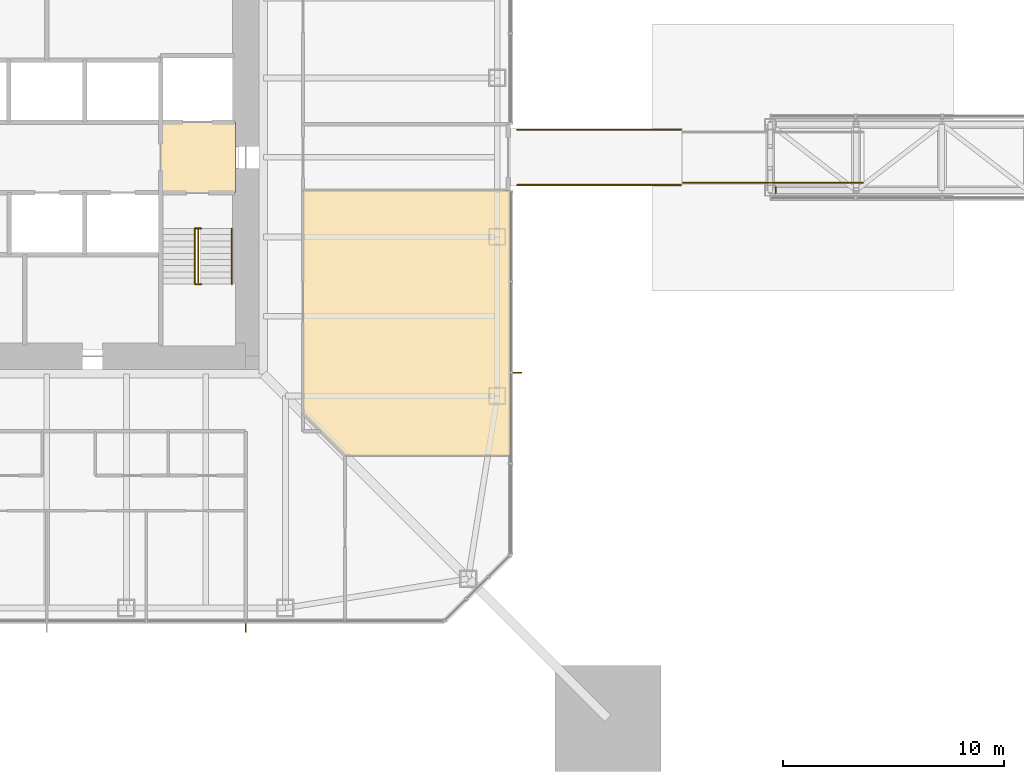
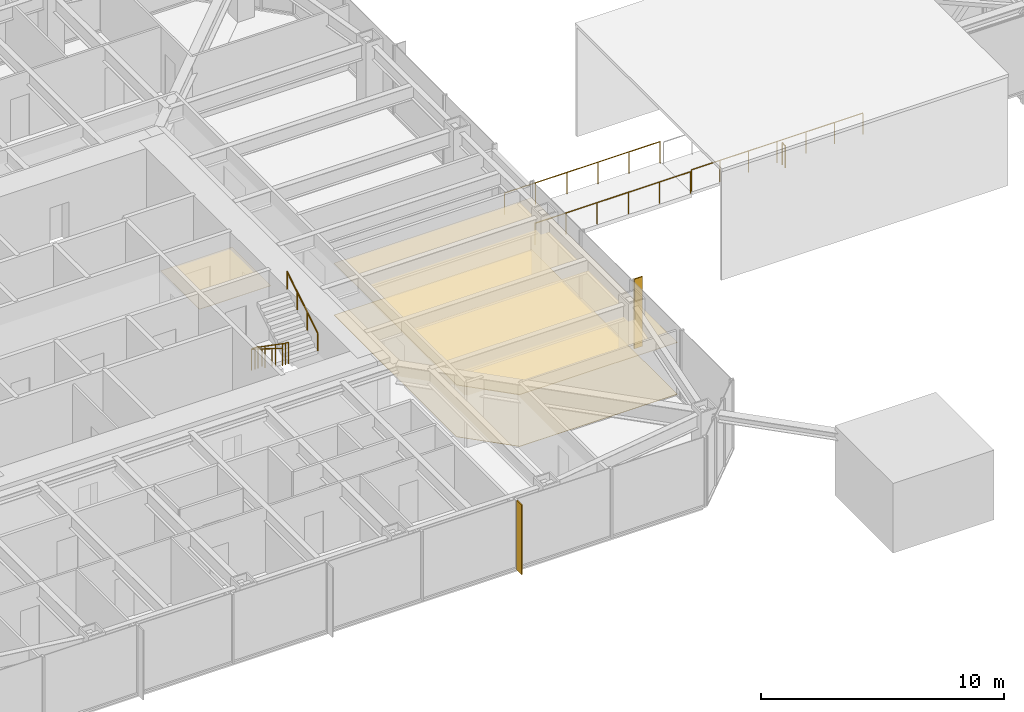
# One storey, part 20 of 23: 7 railings, 3 coverings, 2 shading devices.
"""IFC4 building model written with IfcOpenShell, lengths in metres."""

from ifc_helpers import new_model, si_unit, direction, frame, origin, origin_2d, place, context, subcontext, project, spatial, polyline, rectangle, circle, outline, extrude, material, layer, layer_set, constituent, constituent_set, type_object, element, save


model = new_model("IFC4")

# Units and contexts
model_context = context("Model", 3, precision=1e-05, world=origin(), true_north=direction((0.0, 1.0)))
body_context = subcontext(model_context, "Body", "Model", "MODEL_VIEW")
ifc_project = project(units=[si_unit("LENGTHUNIT", "METRE"), si_unit("AREAUNIT", "SQUARE_METRE"), si_unit("VOLUMEUNIT", "CUBIC_METRE"), si_unit("PLANEANGLEUNIT", "RADIAN"), si_unit("MASSUNIT", "GRAM", prefix="KILO")], contexts=[model_context])

# Site, building, storey
site_placement = place(None, origin())
site = spatial("IfcSite", under=ifc_project, at=site_placement, CompositionType="ELEMENT")
building_placement = place(site_placement, origin())
building = spatial("IfcBuilding", under=site, at=building_placement, Name="Iwan Alto Co-Living Towers", CompositionType="ELEMENT")
storey_placement = place(building_placement, frame((0.0, 0.0, 129.5)))
storey = spatial("IfcBuildingStorey", under=building, at=storey_placement, Name="L35", CompositionType="ELEMENT", Elevation=129.5)

# Covering
ifc_material_1 = material(Name="Mineral fibre acoustic tiles on steel grid", Category="steel")
ifc_layer_1 = layer(ifc_material_1, 0.02001953125)
ifc_layer_set_1 = layer_set([ifc_layer_1], Name="ACOUSTIC TILE CEILING 20")
covering_type_1 = type_object("IfcCoveringType", Name="ACOUSTIC TILE CEILING 20", PredefinedType="CEILING", material=ifc_layer_set_1)
covering_1_placement = place(storey_placement, frame((0.0, 0.0, 2.60009765625)))
element("IfcCovering", 1, at=covering_1_placement, inside=storey, type_object=covering_type_1, Name="Ceiling Firefighting lobby L35", PredefinedType="CEILING", context=body_context, shape_type="SweptSolid", body=[
    extrude(outline(polyline([(5.14990234375, -1.60009765625), (5.14990234375, 1.60009765625), (8.550048828125, 1.60009765625), (8.550048828125, -1.60009765625), (5.14990234375, -1.60009765625)])), origin(), (0.0, 0.0, 1.0), 0.02001953125),
])

# Railings
ifc_material_2 = material(Name="Stainless steel ASTM A554 Type 316", Category="steel")
railing_type_1 = type_object("IfcRailingType", Name="BRIDGE JOINT GUARD 1100", PredefinedType="GUARDRAIL", material=ifc_material_2)
railing_1_placement = place(storey_placement, frame((21.300048828125, -1.25, 0.0)))
element("IfcRailing", 2, at=railing_1_placement, inside=storey, type_object=railing_type_1, Name="Skybridge BR2 joint guard", PredefinedType="GUARDRAIL", context=body_context, shape_type="SweptSolid", body=[
    extrude(circle(Radius=0.02392578125, at=origin_2d()), frame((0.0, 0.0, 1.076171875), z_axis=(1.0, 0.0, 0.0), x_axis=(0.0, 1.0, 0.0)), (0.0, 0.0, 1.0), 7.39990234375),
    extrude(circle(Radius=0.02099609375, at=origin_2d()), origin(), (0.0, 0.0, 1.0), 1.052001953125),
    extrude(circle(Radius=0.02099609375, at=origin_2d()), frame((1.47998046875, 0.0, 0.0)), (0.0, 0.0, 1.0), 1.052001953125),
    extrude(circle(Radius=0.02099609375, at=origin_2d()), frame((2.9599609375, 0.0, 0.0)), (0.0, 0.0, 1.0), 1.052001953125),
    extrude(circle(Radius=0.02099609375, at=origin_2d()), frame((4.43994140625, 0.0, 0.0)), (0.0, 0.0, 1.0), 1.052001953125),
    extrude(circle(Radius=0.02099609375, at=origin_2d()), frame((5.919921875, 0.0, 0.0)), (0.0, 0.0, 1.0), 1.052001953125),
    extrude(circle(Radius=0.02099609375, at=origin_2d()), frame((7.39990234375, 0.0, 0.0)), (0.0, 0.0, 1.0), 1.052001953125),
])
railing_2_placement = place(storey_placement, frame((28.800048828125, -1.14990234375, 0.0)))
element("IfcRailing", 3, at=railing_2_placement, inside=storey, type_object=railing_type_1, Name="Skybridge BR2 joint guard", PredefinedType="GUARDRAIL", context=body_context, shape_type="SweptSolid", body=[
    extrude(circle(Radius=0.02392578125, at=origin_2d()), frame((0.0, 0.0, 1.076171875), z_axis=(1.0, 0.0, 0.0), x_axis=(0.0, 1.0, 0.0)), (0.0, 0.0, 1.0), 8.14990234375),
    extrude(circle(Radius=0.02099609375, at=origin_2d()), origin(), (0.0, 0.0, 1.0), 1.052001953125),
    extrude(circle(Radius=0.02099609375, at=origin_2d()), frame((1.3583984375, 0.0, 0.0)), (0.0, 0.0, 1.0), 1.052001953125),
    extrude(circle(Radius=0.02099609375, at=origin_2d()), frame((2.716552734375, 0.0, 0.0)), (0.0, 0.0, 1.0), 1.052001953125),
    extrude(circle(Radius=0.02099609375, at=origin_2d()), frame((4.074951171875, 0.0, 0.0)), (0.0, 0.0, 1.0), 1.052001953125),
    extrude(circle(Radius=0.02099609375, at=origin_2d()), frame((5.433349609375, 0.0, 0.0)), (0.0, 0.0, 1.0), 1.052001953125),
    extrude(circle(Radius=0.02099609375, at=origin_2d()), frame((6.79150390625, 0.0, 0.0)), (0.0, 0.0, 1.0), 1.052001953125),
    extrude(circle(Radius=0.02099609375, at=origin_2d()), frame((8.14990234375, 0.0, 0.0)), (0.0, 0.0, 1.0), 1.052001953125),
])
railing_3_placement = place(storey_placement, frame((33.0, -1.60009765625, 0.0)))
element("IfcRailing", 4, at=railing_3_placement, inside=storey, type_object=railing_type_1, Name="Skybridge BR2 joint guard", PredefinedType="GUARDRAIL", context=body_context, shape_type="SweptSolid", body=[
    extrude(circle(Radius=0.02392578125, at=origin_2d()), frame((0.0, 0.0, 1.076171875), z_axis=(0.0, 1.0, 0.0), x_axis=(-1.0, 0.0, 0.0)), (0.0, 0.0, 1.0), 0.25),
    extrude(circle(Radius=0.02099609375, at=origin_2d()), origin(), (0.0, 0.0, 1.0), 1.052001953125),
    extrude(circle(Radius=0.02099609375, at=origin_2d()), frame((0.0, 0.25, 0.0)), (0.0, 0.0, 1.0), 1.052001953125),
])
railing_4_placement = place(storey_placement, frame((21.300048828125, 1.25, 0.0)))
element("IfcRailing", 5, at=railing_4_placement, inside=storey, type_object=railing_type_1, Name="Skybridge BR2 joint guard", PredefinedType="GUARDRAIL", context=body_context, shape_type="SweptSolid", body=[
    extrude(circle(Radius=0.02392578125, at=origin_2d()), frame((0.0, 0.0, 1.076171875), z_axis=(1.0, 0.0, 0.0), x_axis=(0.0, 1.0, 0.0)), (0.0, 0.0, 1.0), 7.39990234375),
    extrude(circle(Radius=0.02099609375, at=origin_2d()), origin(), (0.0, 0.0, 1.0), 1.052001953125),
    extrude(circle(Radius=0.02099609375, at=origin_2d()), frame((1.47998046875, 0.0, 0.0)), (0.0, 0.0, 1.0), 1.052001953125),
    extrude(circle(Radius=0.02099609375, at=origin_2d()), frame((2.9599609375, 0.0, 0.0)), (0.0, 0.0, 1.0), 1.052001953125),
    extrude(circle(Radius=0.02099609375, at=origin_2d()), frame((4.43994140625, 0.0, 0.0)), (0.0, 0.0, 1.0), 1.052001953125),
    extrude(circle(Radius=0.02099609375, at=origin_2d()), frame((5.919921875, 0.0, 0.0)), (0.0, 0.0, 1.0), 1.052001953125),
    extrude(circle(Radius=0.02099609375, at=origin_2d()), frame((7.39990234375, 0.0, 0.0)), (0.0, 0.0, 1.0), 1.052001953125),
])

# Shading devices
ifc_material_3 = material(Name="Aluminium 6063-T6 bronze anodised", Category="aluminium")
ifc_layer_2 = layer(ifc_material_3, 0.050048828125)
ifc_layer_set_2 = layer_set([ifc_layer_2], Name="BRONZE FIN 50X400")
shading_device_type = type_object("IfcShadingDeviceType", Name="BRONZE FIN 50X400", PredefinedType="USERDEFINED", material=ifc_layer_set_2)
for number, where, z_axis, x_axis, name in (
    (6, (9.0, -21.300048828125, 0.0), (0.0, 0.0, 1.0), (1.0, 0.0, 0.0), "Bronze fin L35"),
    (7, (21.300048828125, -9.75, 0.0), (0.0, 0.0, 1.0), (0.0, 1.0, 0.0), "Bronze fin L35"),
):
    element("IfcShadingDevice", number, at=place(storey_placement, frame(where, z_axis=z_axis, x_axis=x_axis)), inside=storey, type_object=shading_device_type, Name=name, ObjectType="LOUVER", PredefinedType="USERDEFINED", context=body_context, shape_type="SweptSolid", body=[
        extrude(rectangle(XDim=0.050048828125, YDim=0.39990234375, at=origin_2d()), origin(), (0.0, 0.0, 1.0), 3.5),
    ])

# Railings
ifc_material_4 = material(Name="Steel ASTM A500 Gr C", Category="steel")
ifc_constituent_1 = constituent(ifc_material_4, Name="Rails and posts", Category="Framing")
ifc_material_5 = material(Name="Steel ASTM A36", Category="steel")
ifc_constituent_2 = constituent(ifc_material_5, Name="Bar infill", Category="Infill")
ifc_constituent_set = constituent_set(constituents=[ifc_constituent_1, ifc_constituent_2], Name="STAIR GUARD 1100")
railing_type_2 = type_object("IfcRailingType", Name="STAIR GUARD 1100", PredefinedType="GUARDRAIL", material=ifc_constituent_set)
railing_5_placement = place(storey_placement, frame((6.85009765625, -3.219970703125, 0.0)))
element("IfcRailing", 8, at=railing_5_placement, inside=storey, type_object=railing_type_2, Name="Stair T1-S2 well guard L35", PredefinedType="GUARDRAIL", context=body_context, shape_type="SweptSolid", body=[
    extrude(circle(Radius=0.02392578125, at=origin_2d()), frame((0.0, 0.0, 1.076171875), z_axis=(0.0, -0.821372036852, 0.570392826987), x_axis=(1.0, 0.0, 0.0)), (0.0, 0.0, 1.0), 3.068115234375),
    extrude(circle(Radius=0.02392578125, at=origin_2d()), frame((-0.150146484375, 0.0, 1.076171875), z_axis=(1.0, 0.0, 0.0), x_axis=(0.0, 1.0, 0.0)), (0.0, 0.0, 1.0), 0.300048828125),
    extrude(circle(Radius=0.02392578125, at=origin_2d()), frame((-0.150146484375, -2.52001953125, 2.826171875), z_axis=(1.0, 0.0, 0.0), x_axis=(0.0, 1.0, 0.0)), (0.0, 0.0, 1.0), 0.300048828125),
    extrude(circle(Radius=0.02099609375, at=origin_2d()), origin(), (0.0, 0.0, 1.0), 1.052001953125),
    extrude(circle(Radius=0.02099609375, at=origin_2d()), frame((0.0, -0.840087890625, 0.583251953125)), (0.0, 0.0, 1.0), 1.052001953125),
    extrude(circle(Radius=0.02099609375, at=origin_2d()), frame((0.0, -1.679931640625, 1.166748046875)), (0.0, 0.0, 1.0), 1.052001953125),
    extrude(circle(Radius=0.02099609375, at=origin_2d()), frame((0.0, -2.52001953125, 1.75)), (0.0, 0.0, 1.0), 1.052001953125),
    extrude(circle(Radius=0.02099609375, at=origin_2d()), frame((-0.150146484375, 0.0, 0.0)), (0.0, 0.0, 1.0), 1.052001953125),
    extrude(circle(Radius=0.02099609375, at=origin_2d()), frame((0.14990234375, 0.0, 0.0)), (0.0, 0.0, 1.0), 1.052001953125),
    extrude(circle(Radius=0.02099609375, at=origin_2d()), frame((-0.150146484375, -2.52001953125, 1.75)), (0.0, 0.0, 1.0), 1.052001953125),
    extrude(circle(Radius=0.02099609375, at=origin_2d()), frame((0.14990234375, -2.52001953125, 1.75)), (0.0, 0.0, 1.0), 1.052001953125),
])
ifc_material_6 = material(Name="Steel ASTM A500 Gr C", Category="steel")
railing_type_3 = type_object("IfcRailingType", Name="STAIR HANDRAIL 900", PredefinedType="HANDRAIL", material=ifc_material_6)
railing_6_placement = place(storey_placement, frame((6.699951171875, -3.219970703125, 0.175048828125)))
element("IfcRailing", 9, at=railing_6_placement, inside=storey, type_object=railing_type_3, Name="Stair T1-S2 handrail 1 L35", PredefinedType="HANDRAIL", context=body_context, shape_type="SweptSolid", body=[
    extrude(circle(Radius=0.02392578125, at=origin_2d()), frame((0.0, 0.0, 0.8759765625), z_axis=(0.0, -0.848007534815, 0.529984170421), x_axis=(1.0, 0.0, 0.0)), (0.0, 0.0, 1.0), 2.9716796875),
    extrude(circle(Radius=0.02099609375, at=origin_2d()), origin(), (0.0, 0.0, 1.0), 0.851806640625),
    extrude(circle(Radius=0.02099609375, at=origin_2d()), frame((0.0, -0.840087890625, 0.52490234375)), (0.0, 0.0, 1.0), 0.851806640625),
    extrude(circle(Radius=0.02099609375, at=origin_2d()), frame((0.0, -1.679931640625, 1.050048828125)), (0.0, 0.0, 1.0), 0.851806640625),
    extrude(circle(Radius=0.02099609375, at=origin_2d()), frame((0.0, -2.52001953125, 1.574951171875)), (0.0, 0.0, 1.0), 0.851806640625),
])
railing_7_placement = place(storey_placement, frame((8.3798828125, -5.739990234375, 1.925048828125)))
element("IfcRailing", 10, at=railing_7_placement, inside=storey, type_object=railing_type_3, Name="Stair T1-S2 handrail 2 L35", PredefinedType="HANDRAIL", context=body_context, shape_type="SweptSolid", body=[
    extrude(circle(Radius=0.02392578125, at=origin_2d()), frame((0.0, 0.0, 0.8759765625), z_axis=(0.0, 0.848007534815, 0.529984170421), x_axis=(-1.0, 0.0, 0.0)), (0.0, 0.0, 1.0), 2.9716796875),
    extrude(circle(Radius=0.02099609375, at=origin_2d()), origin(), (0.0, 0.0, 1.0), 0.851806640625),
    extrude(circle(Radius=0.02099609375, at=origin_2d()), frame((0.0, 0.840087890625, 0.52490234375)), (0.0, 0.0, 1.0), 0.851806640625),
    extrude(circle(Radius=0.02099609375, at=origin_2d()), frame((0.0, 1.679931640625, 1.050048828125)), (0.0, 0.0, 1.0), 0.851806640625),
    extrude(circle(Radius=0.02099609375, at=origin_2d()), frame((0.0, 2.52001953125, 1.574951171875)), (0.0, 0.0, 1.0), 0.851806640625),
])

# Coverings
ifc_material_7 = material(Name="Engineered oak boards")
ifc_layer_3 = layer(ifc_material_7, 0.02001953125)
ifc_layer_set_3 = layer_set([ifc_layer_3], Name="TIMBER FLOOR FINISH 20")
covering_type_2 = type_object("IfcCoveringType", Name="TIMBER FLOOR FINISH 20", PredefinedType="FLOORING", material=ifc_layer_set_3)
covering_2_placement = place(storey_placement, origin())
element("IfcCovering", 11, at=covering_2_placement, inside=storey, type_object=covering_type_2, Name="Floor finish Study sky lounge L35", PredefinedType="FLOORING", context=body_context, shape_type="SweptSolid", body=[
    extrude(outline(polyline([(21.0, -1.5), (21.0, -13.5), (13.5, -13.5), (11.60009765625, -11.60009765625), (11.60009765625, -1.5), (21.0, -1.5)])), origin(), (0.0, 0.0, 1.0), 0.02001953125),
])
ifc_material_8 = material(Name="Walnut timber slats on acoustic backing", Category="wood")
ifc_layer_4 = layer(ifc_material_8, 0.02490234375)
ifc_layer_set_4 = layer_set([ifc_layer_4], Name="TIMBER SLAT CEILING 25")
covering_type_3 = type_object("IfcCoveringType", Name="TIMBER SLAT CEILING 25", PredefinedType="CEILING", material=ifc_layer_set_4)
covering_3_placement = place(storey_placement, frame((0.0, 0.0, 2.60009765625)))
element("IfcCovering", 12, at=covering_3_placement, inside=storey, type_object=covering_type_3, Name="Ceiling Study sky lounge L35", PredefinedType="CEILING", context=body_context, shape_type="SweptSolid", body=[
    extrude(outline(polyline([(21.0, -1.5), (21.0, -13.5), (13.5, -13.5), (11.60009765625, -11.60009765625), (11.60009765625, -1.5), (21.0, -1.5)])), origin(), (0.0, 0.0, 1.0), 0.02490234375),
])

save(model, "model.ifc")
